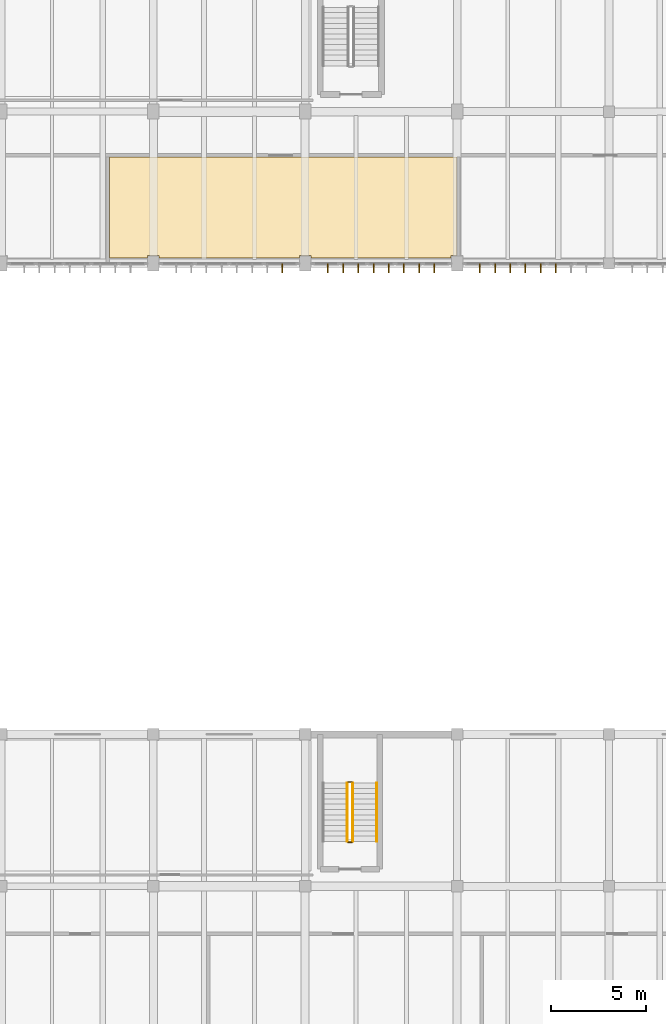
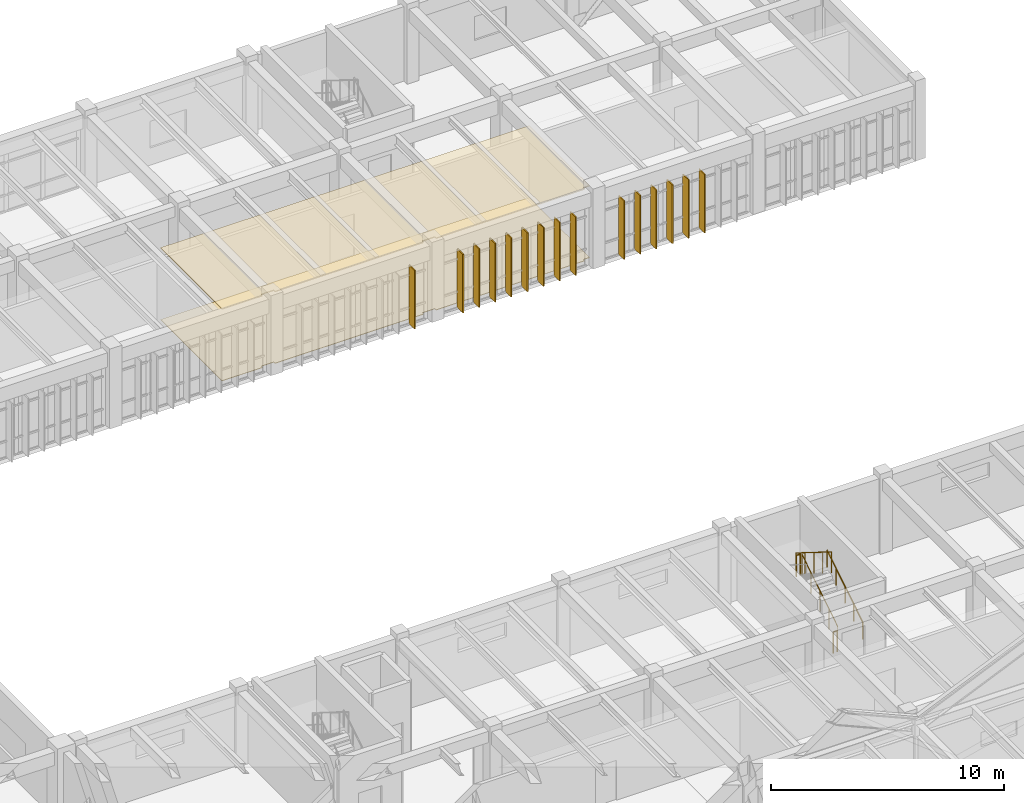
# One storey, part 66 of 67: 15 shading devices, 5 railings, 2 coverings.
"""IFC4 building model written with IfcOpenShell, lengths in metres."""

from ifc_helpers import new_model, si_unit, direction, frame, origin, origin_2d, place, context, subcontext, project, spatial, polyline, rectangle, circle, outline, extrude, material, layer, layer_set, type_object, element, save


model = new_model("IFC4")

# Units and contexts
model_context = context("Model", 3, precision=1e-05, world=origin(), true_north=direction((0.0, 1.0)))
body_context = subcontext(model_context, "Body", "Model", "MODEL_VIEW")
ifc_project = project(units=[si_unit("LENGTHUNIT", "METRE"), si_unit("AREAUNIT", "SQUARE_METRE"), si_unit("VOLUMEUNIT", "CUBIC_METRE"), si_unit("PLANEANGLEUNIT", "RADIAN"), si_unit("MASSUNIT", "GRAM", prefix="KILO")], contexts=[model_context])

# Site, building, storey
site_placement = place(None, origin())
site = spatial("IfcSite", under=ifc_project, at=site_placement, CompositionType="ELEMENT")
building_placement = place(site_placement, origin())
building = spatial("IfcBuilding", under=site, at=building_placement, Name="Tlaxcora Railside Police Headquarters", CompositionType="ELEMENT")
storey_placement = place(building_placement, frame((0.0, 0.0, 4.800048828125)))
storey = spatial("IfcBuildingStorey", under=building, at=storey_placement, Name="L01", CompositionType="ELEMENT", Elevation=4.800048828125)

# Coverings
ifc_material_1 = material(Name="Heavy-duty resin and raised-access technical flooring")
ifc_layer_1 = layer(ifc_material_1, 0.02490234375, Name="Heavy-duty resin and raised-access technical flooring")
ifc_layer_set_1 = layer_set([ifc_layer_1], Name="Heavy-duty resin and raised-access technical flooring")
covering_type_1 = type_object("IfcCoveringType", Name="Epoxy Chemical-Resistant Lab Flooring FLR-02", PredefinedType="FLOORING", material=ifc_layer_set_1)
covering_1_placement = place(storey_placement, origin())
element("IfcCovering", 1, at=covering_1_placement, inside=storey, type_object=covering_type_1, Name="Seized Narcotics GC-MS Analytical Laboratory technical floor finish", PredefinedType="FLOORING", context=body_context, shape_type="SweptSolid", body=[
    extrude(outline(polyline([(142.794921875, 82.39990234375), (124.488037109375, 82.39990234375), (124.488037109375, 77.10009765625), (126.489990234375, 77.10009765625), (126.489990234375, 77.2099609375), (127.110107421875, 77.2099609375), (127.110107421875, 77.10009765625), (134.489990234375, 77.10009765625), (134.489990234375, 77.2099609375), (135.110107421875, 77.2099609375), (135.110107421875, 77.10009765625), (142.489990234375, 77.10009765625), (142.489990234375, 77.2099609375), (142.794921875, 77.2099609375), (142.794921875, 82.39990234375)])), origin(), (0.0, 0.0, 1.0), 0.02490234375),
])
ifc_material_2 = material(Name="Mineral-fibre acoustic ceiling tile")
ifc_layer_2 = layer(ifc_material_2, 0.044921875, Name="Mineral-fibre acoustic ceiling tile")
ifc_layer_set_2 = layer_set([ifc_layer_2], Name="Mineral-fibre acoustic ceiling tile")
covering_type_2 = type_object("IfcCoveringType", Name="Laboratory Hygienic Ceiling CLG-02", PredefinedType="CEILING", material=ifc_layer_set_2)
covering_2_placement = place(storey_placement, frame((0.0, 0.0, 3.7548828125)))
element("IfcCovering", 2, at=covering_2_placement, inside=storey, type_object=covering_type_2, Name="Seized Narcotics GC-MS Analytical Laboratory suspended ceiling", PredefinedType="CEILING", context=body_context, shape_type="SweptSolid", body=[
    extrude(outline(polyline([(142.794921875, 82.39990234375), (124.488037109375, 82.39990234375), (124.488037109375, 77.10009765625), (126.489990234375, 77.10009765625), (126.489990234375, 77.2099609375), (127.110107421875, 77.2099609375), (127.110107421875, 77.10009765625), (134.489990234375, 77.10009765625), (134.489990234375, 77.2099609375), (135.110107421875, 77.2099609375), (135.110107421875, 77.10009765625), (142.489990234375, 77.10009765625), (142.489990234375, 77.2099609375), (142.794921875, 77.2099609375), (142.794921875, 82.39990234375)])), origin(), (0.0, 0.0, 1.0), 0.045166015625),
])

# Shading devices
ifc_material_3 = material(Name="Bronze-anodised perforated aluminium sheet", Category="aluminium")
ifc_layer_3 = layer(ifc_material_3, 0.06494140625, Name="Bronze-anodised perforated aluminium sheet")
ifc_layer_set_3 = layer_set([ifc_layer_3], Name="Bronze-anodised perforated aluminium sheet")
shading_device_type = type_object("IfcShadingDeviceType", Name="Solar Control Fin SF-02", PredefinedType="JALOUSIE", material=ifc_layer_set_3)
for number, where, z_axis, x_axis, name in (
    (3, (133.60009765625, 76.5400390625, 0.039794921875), (0.0, 0.0, 1.0), (0.0, -1.0, 0.0), "Vertical solar fin 799"),
    (4, (136.0, 76.5400390625, 0.039794921875), (0.0, 0.0, 1.0), (0.0, -1.0, 0.0), "Vertical solar fin 800"),
    (5, (136.800048828125, 76.5400390625, 0.039794921875), (0.0, 0.0, 1.0), (0.0, -1.0, 0.0), "Vertical solar fin 801"),
    (6, (137.60009765625, 76.5400390625, 0.039794921875), (0.0, 0.0, 1.0), (0.0, -1.0, 0.0), "Vertical solar fin 802"),
    (7, (138.39990234375, 76.5400390625, 0.039794921875), (0.0, 0.0, 1.0), (0.0, -1.0, 0.0), "Vertical solar fin 803"),
    (8, (139.199951171875, 76.5400390625, 0.039794921875), (0.0, 0.0, 1.0), (0.0, -1.0, 0.0), "Vertical solar fin 804"),
    (9, (140.0, 76.5400390625, 0.039794921875), (0.0, 0.0, 1.0), (0.0, -1.0, 0.0), "Vertical solar fin 805"),
    (10, (140.800048828125, 76.5400390625, 0.039794921875), (0.0, 0.0, 1.0), (0.0, -1.0, 0.0), "Vertical solar fin 806"),
    (11, (141.60009765625, 76.5400390625, 0.039794921875), (0.0, 0.0, 1.0), (0.0, -1.0, 0.0), "Vertical solar fin 807"),
    (12, (144.0, 76.5400390625, 0.039794921875), (0.0, 0.0, 1.0), (0.0, -1.0, 0.0), "Vertical solar fin 808"),
    (13, (144.800048828125, 76.5400390625, 0.039794921875), (0.0, 0.0, 1.0), (0.0, -1.0, 0.0), "Vertical solar fin 809"),
    (14, (145.60009765625, 76.5400390625, 0.039794921875), (0.0, 0.0, 1.0), (0.0, -1.0, 0.0), "Vertical solar fin 810"),
    (15, (146.39990234375, 76.5400390625, 0.039794921875), (0.0, 0.0, 1.0), (0.0, -1.0, 0.0), "Vertical solar fin 811"),
    (16, (147.199951171875, 76.5400390625, 0.039794921875), (0.0, 0.0, 1.0), (0.0, -1.0, 0.0), "Vertical solar fin 812"),
    (17, (148.0, 76.5400390625, 0.039794921875), (0.0, 0.0, 1.0), (0.0, -1.0, 0.0), "Vertical solar fin 813"),
):
    element("IfcShadingDevice", number, at=place(storey_placement, frame(where, z_axis=z_axis, x_axis=x_axis)), inside=storey, type_object=shading_device_type, Name=name, PredefinedType="JALOUSIE", context=body_context, shape_type="SweptSolid", body=[
        extrude(rectangle(XDim=0.47998046875, YDim=0.054931640625, at=origin_2d()), origin(), (0.0, 0.0, 1.0), 3.080078125),
    ])

# Railings
ifc_material_4 = material(Name="Steel ASTM A992 Grade 50", Category="steel")
railing_type_1 = type_object("IfcRailingType", Name="Stair Well Guard Balustrade GR-02", PredefinedType="BALUSTRADE", material=ifc_material_4)
railing_1_placement = place(storey_placement, frame((137.31005859375, 46.360107421875, 0.175048828125)))
element("IfcRailing", 18, at=railing_1_placement, inside=storey, type_object=railing_type_1, Name="L01 ST11 stair guard 1", PredefinedType="BALUSTRADE", context=body_context, shape_type="SweptSolid", body=[
    extrude(circle(Radius=0.02392578125, at=origin_2d()), frame((0.0, 0.0, 1.09619140625), z_axis=(0.0, 0.848009633417, 0.529980812513), x_axis=(-1.0, 0.0, 0.0)), (0.0, 0.0, 1.0), 3.6318359375),
    extrude(circle(Radius=0.02099609375, at=origin_2d()), origin(), (0.0, 0.0, 1.0), 1.072021484375),
    extrude(circle(Radius=0.02099609375, at=origin_2d()), frame((0.0, 0.77001953125, 0.481201171875)), (0.0, 0.0, 1.0), 1.072021484375),
    extrude(circle(Radius=0.02099609375, at=origin_2d()), frame((0.0, 1.5400390625, 0.96240234375)), (0.0, 0.0, 1.0), 1.072021484375),
    extrude(circle(Radius=0.02099609375, at=origin_2d()), frame((0.0, 2.309814453125, 1.443603515625)), (0.0, 0.0, 1.0), 1.072021484375),
    extrude(circle(Radius=0.02099609375, at=origin_2d()), frame((0.0, 3.079833984375, 1.9248046875)), (0.0, 0.0, 1.0), 1.072021484375),
])
railing_2_placement = place(storey_placement, frame((137.260009765625, 49.489990234375, 2.099853515625)))
element("IfcRailing", 19, at=railing_2_placement, inside=storey, type_object=railing_type_1, Name="L01 ST11 stair guard 2", PredefinedType="BALUSTRADE", context=body_context, shape_type="SweptSolid", body=[
    extrude(circle(Radius=0.02392578125, at=origin_2d()), frame((0.0, 0.0, 1.09619140625), z_axis=(-1.0, 0.0, 0.0), x_axis=(0.0, -1.0, 0.0)), (0.0, 0.0, 1.0), 0.199951171875),
    extrude(circle(Radius=0.02099609375, at=origin_2d()), origin(), (0.0, 0.0, 1.0), 1.072021484375),
    extrude(circle(Radius=0.02099609375, at=origin_2d()), frame((-0.199951171875, 0.0, 0.0)), (0.0, 0.0, 1.0), 1.072021484375),
])
railing_3_placement = place(storey_placement, frame((137.010009765625, 49.43994140625, 2.27490234375)))
element("IfcRailing", 20, at=railing_3_placement, inside=storey, type_object=railing_type_1, Name="L01 ST11 stair guard 3", PredefinedType="BALUSTRADE", context=body_context, shape_type="SweptSolid", body=[
    extrude(circle(Radius=0.02392578125, at=origin_2d()), frame((0.0, 0.0, 1.09619140625), z_axis=(0.0, -0.847979421464, 0.530029150871), x_axis=(1.0, 0.0, 0.0)), (0.0, 0.0, 1.0), 3.632080078125),
    extrude(circle(Radius=0.02099609375, at=origin_2d()), origin(), (0.0, 0.0, 1.0), 1.072021484375),
    extrude(circle(Radius=0.02099609375, at=origin_2d()), frame((0.0, -0.77001953125, 0.481201171875)), (0.0, 0.0, 1.0), 1.072021484375),
    extrude(circle(Radius=0.02099609375, at=origin_2d()), frame((0.0, -1.5400390625, 0.96240234375)), (0.0, 0.0, 1.0), 1.072021484375),
    extrude(circle(Radius=0.02099609375, at=origin_2d()), frame((0.0, -2.309814453125, 1.44384765625)), (0.0, 0.0, 1.0), 1.072021484375),
    extrude(circle(Radius=0.02099609375, at=origin_2d()), frame((0.0, -3.079833984375, 1.925048828125)), (0.0, 0.0, 1.0), 1.072021484375),
])
railing_4_placement = place(storey_placement, frame((137.260009765625, 46.31005859375, 0.0)))
element("IfcRailing", 21, at=railing_4_placement, inside=storey, type_object=railing_type_1, Name="L01 ST11 stair guard 4", PredefinedType="BALUSTRADE", context=body_context, shape_type="SweptSolid", body=[
    extrude(circle(Radius=0.02392578125, at=origin_2d()), frame((0.0, 0.0, 1.09619140625), z_axis=(-1.0, 0.0, 0.0), x_axis=(0.0, -1.0, 0.0)), (0.0, 0.0, 1.0), 0.199951171875),
    extrude(circle(Radius=0.02099609375, at=origin_2d()), origin(), (0.0, 0.0, 1.0), 1.072021484375),
    extrude(circle(Radius=0.02099609375, at=origin_2d()), frame((-0.199951171875, 0.0, 0.0)), (0.0, 0.0, 1.0), 1.072021484375),
])
railing_type_2 = type_object("IfcRailingType", Name="Stair and Ramp Handrail HR-01", PredefinedType="HANDRAIL", material=ifc_material_4)
railing_5_placement = place(storey_placement, frame((138.56005859375, 46.360107421875, 0.175048828125)))
element("IfcRailing", 22, at=railing_5_placement, inside=storey, type_object=railing_type_2, Name="L01 ST11 stair handrail 1", PredefinedType="HANDRAIL", context=body_context, shape_type="SweptSolid", body=[
    extrude(circle(Radius=0.02392578125, at=origin_2d()), frame((0.0, 0.0, 0.8759765625), z_axis=(0.0, 0.848009633417, 0.529980812513), x_axis=(-1.0, 0.0, 0.0)), (0.0, 0.0, 1.0), 3.6318359375),
    extrude(circle(Radius=0.02099609375, at=origin_2d()), origin(), (0.0, 0.0, 1.0), 0.851806640625),
    extrude(circle(Radius=0.02099609375, at=origin_2d()), frame((0.0, 0.77001953125, 0.481201171875)), (0.0, 0.0, 1.0), 0.851806640625),
    extrude(circle(Radius=0.02099609375, at=origin_2d()), frame((0.0, 1.5400390625, 0.96240234375)), (0.0, 0.0, 1.0), 0.851806640625),
    extrude(circle(Radius=0.02099609375, at=origin_2d()), frame((0.0, 2.309814453125, 1.443603515625)), (0.0, 0.0, 1.0), 0.851806640625),
    extrude(circle(Radius=0.02099609375, at=origin_2d()), frame((0.0, 3.079833984375, 1.9248046875)), (0.0, 0.0, 1.0), 0.851806640625),
])

save(model, "model.ifc")
